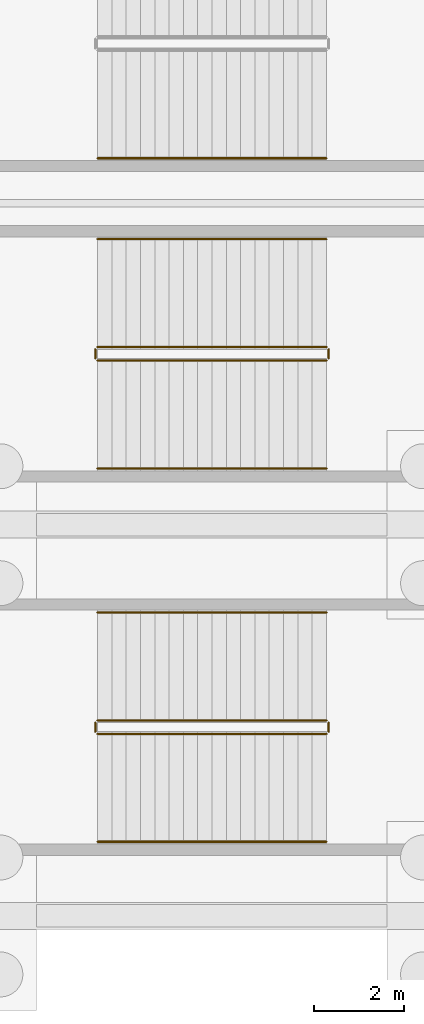
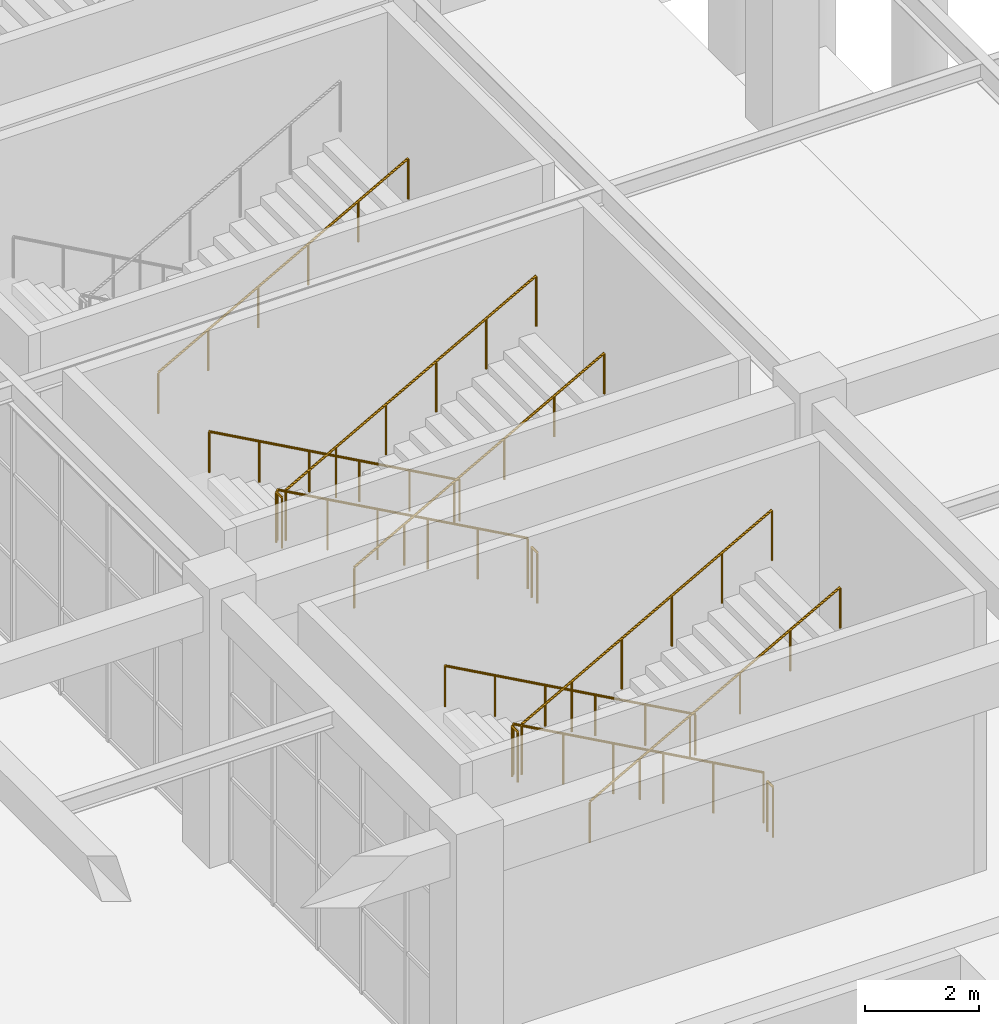
# One storey, part 100 of 121: 13 railings.
"""IFC4 building model written with IfcOpenShell, lengths in metres."""

from ifc_helpers import new_model, si_unit, direction, frame, origin, origin_2d, place, context, subcontext, project, spatial, circle, extrude, material, type_object, element, save


model = new_model("IFC4")

# Units and contexts
model_context = context("Model", 3, precision=1e-05, world=origin(), true_north=direction((0.0, 1.0)))
body_context = subcontext(model_context, "Body", "Model", "MODEL_VIEW")
ifc_project = project(units=[si_unit("LENGTHUNIT", "METRE"), si_unit("AREAUNIT", "SQUARE_METRE"), si_unit("VOLUMEUNIT", "CUBIC_METRE"), si_unit("PLANEANGLEUNIT", "RADIAN"), si_unit("MASSUNIT", "GRAM", prefix="KILO")], contexts=[model_context])

# Site, building, storey
site_placement = place(None, origin())
site = spatial("IfcSite", under=ifc_project, at=site_placement, CompositionType="ELEMENT")
building_placement = place(site_placement, origin())
building = spatial("IfcBuilding", under=site, at=building_placement, Name="Cuetzalor Civic Arena", CompositionType="ELEMENT")
storey_placement = place(building_placement, origin())
storey = spatial("IfcBuildingStorey", under=building, at=storey_placement, Name="L00", CompositionType="ELEMENT", Elevation=0.0)

# Railings
ifc_material_1 = material(Name="Reseda-green architectural Steel S355 balustrade", Category="steel")
railing_type_1 = type_object("IfcRailingType", Name="InteriorVoidBalustrade_1100", PredefinedType="BALUSTRADE", material=ifc_material_1)
railing_1_placement = place(storey_placement, frame((-67.449951171875, -52.64990234375, 0.176513671875)))
element("IfcRailing", 1, at=railing_1_placement, inside=storey, type_object=railing_type_1, Name="L00 ST-13 stair guard 1", PredefinedType="BALUSTRADE", context=body_context, shape_type="SweptSolid", body=[
    extrude(circle(Radius=0.02392578125, at=origin_2d()), frame((0.0, 0.0, 1.0810546875), z_axis=(-0.874394655587, 0.0, 0.485215401941), x_axis=(0.0, -1.0, 0.0)), (0.0, 0.0, 1.0), 5.819091796875),
    extrude(circle(Radius=0.02099609375, at=origin_2d()), origin(), (0.0, 0.0, 1.0), 1.056884765625),
    extrude(circle(Radius=0.02099609375, at=origin_2d()), frame((-1.017578125, 0.0, 0.564697265625)), (0.0, 0.0, 1.0), 1.056884765625),
    extrude(circle(Radius=0.02099609375, at=origin_2d()), frame((-2.03515625, 0.0, 1.12939453125)), (0.0, 0.0, 1.0), 1.056884765625),
    extrude(circle(Radius=0.02099609375, at=origin_2d()), frame((-3.052978515625, 0.0, 1.694091796875)), (0.0, 0.0, 1.0), 1.056884765625),
    extrude(circle(Radius=0.02099609375, at=origin_2d()), frame((-4.070556640625, 0.0, 2.2587890625)), (0.0, 0.0, 1.0), 1.056884765625),
    extrude(circle(Radius=0.02099609375, at=origin_2d()), frame((-5.088134765625, 0.0, 2.823486328125)), (0.0, 0.0, 1.0), 1.056884765625),
])
railing_2_placement = place(storey_placement, frame((-72.587890625, -52.699951171875, 3.0)))
element("IfcRailing", 2, at=railing_2_placement, inside=storey, type_object=railing_type_1, Name="L00 ST-13 stair guard 2", PredefinedType="BALUSTRADE", context=body_context, shape_type="SweptSolid", body=[
    extrude(circle(Radius=0.02392578125, at=origin_2d()), frame((0.0, 0.0, 1.0810546875), z_axis=(0.0, -1.0, 0.0), x_axis=(1.0, 0.0, 0.0)), (0.0, 0.0, 1.0), 0.199951171875),
    extrude(circle(Radius=0.02099609375, at=origin_2d()), origin(), (0.0, 0.0, 1.0), 1.056884765625),
    extrude(circle(Radius=0.02099609375, at=origin_2d()), frame((0.0, -0.199951171875, 0.0)), (0.0, 0.0, 1.0), 1.056884765625),
])
railing_3_placement = place(storey_placement, frame((-72.5380859375, -52.949951171875, 3.176513671875)))
element("IfcRailing", 3, at=railing_3_placement, inside=storey, type_object=railing_type_1, Name="L00 ST-13 stair guard 3", PredefinedType="BALUSTRADE", context=body_context, shape_type="SweptSolid", body=[
    extrude(circle(Radius=0.02392578125, at=origin_2d()), frame((0.0, 0.0, 1.0810546875), z_axis=(0.874394655587, 0.0, 0.485215401941), x_axis=(0.0, 1.0, 0.0)), (0.0, 0.0, 1.0), 5.819091796875),
    extrude(circle(Radius=0.02099609375, at=origin_2d()), origin(), (0.0, 0.0, 1.0), 1.056884765625),
    extrude(circle(Radius=0.02099609375, at=origin_2d()), frame((1.017578125, 0.0, 0.564697265625)), (0.0, 0.0, 1.0), 1.056884765625),
    extrude(circle(Radius=0.02099609375, at=origin_2d()), frame((2.03515625, 0.0, 1.12939453125)), (0.0, 0.0, 1.0), 1.056884765625),
    extrude(circle(Radius=0.02099609375, at=origin_2d()), frame((3.052978515625, 0.0, 1.694091796875)), (0.0, 0.0, 1.0), 1.056884765625),
    extrude(circle(Radius=0.02099609375, at=origin_2d()), frame((4.070556640625, 0.0, 2.2587890625)), (0.0, 0.0, 1.0), 1.056884765625),
    extrude(circle(Radius=0.02099609375, at=origin_2d()), frame((5.088134765625, 0.0, 2.823486328125)), (0.0, 0.0, 1.0), 1.056884765625),
])
railing_4_placement = place(storey_placement, frame((-67.39990234375, -52.699951171875, 0.0)))
element("IfcRailing", 4, at=railing_4_placement, inside=storey, type_object=railing_type_1, Name="L00 ST-13 stair guard 4", PredefinedType="BALUSTRADE", context=body_context, shape_type="SweptSolid", body=[
    extrude(circle(Radius=0.02392578125, at=origin_2d()), frame((0.0, 0.0, 1.0810546875), z_axis=(0.0, -1.0, 0.0), x_axis=(1.0, 0.0, 0.0)), (0.0, 0.0, 1.0), 0.199951171875),
    extrude(circle(Radius=0.02099609375, at=origin_2d()), origin(), (0.0, 0.0, 1.0), 1.056884765625),
    extrude(circle(Radius=0.02099609375, at=origin_2d()), frame((0.0, -0.199951171875, 0.0)), (0.0, 0.0, 1.0), 1.056884765625),
])
railing_5_placement = place(storey_placement, frame((-67.449951171875, -44.35009765625, 0.176513671875)))
element("IfcRailing", 5, at=railing_5_placement, inside=storey, type_object=railing_type_1, Name="L00 ST-14 stair guard 1", PredefinedType="BALUSTRADE", context=body_context, shape_type="SweptSolid", body=[
    extrude(circle(Radius=0.02392578125, at=origin_2d()), frame((0.0, 0.0, 1.0810546875), z_axis=(-0.874394655587, 0.0, 0.485215401941), x_axis=(0.0, -1.0, 0.0)), (0.0, 0.0, 1.0), 5.819091796875),
    extrude(circle(Radius=0.02099609375, at=origin_2d()), origin(), (0.0, 0.0, 1.0), 1.056884765625),
    extrude(circle(Radius=0.02099609375, at=origin_2d()), frame((-1.017578125, 0.0, 0.564697265625)), (0.0, 0.0, 1.0), 1.056884765625),
    extrude(circle(Radius=0.02099609375, at=origin_2d()), frame((-2.03515625, 0.0, 1.12939453125)), (0.0, 0.0, 1.0), 1.056884765625),
    extrude(circle(Radius=0.02099609375, at=origin_2d()), frame((-3.052978515625, 0.0, 1.694091796875)), (0.0, 0.0, 1.0), 1.056884765625),
    extrude(circle(Radius=0.02099609375, at=origin_2d()), frame((-4.070556640625, 0.0, 2.2587890625)), (0.0, 0.0, 1.0), 1.056884765625),
    extrude(circle(Radius=0.02099609375, at=origin_2d()), frame((-5.088134765625, 0.0, 2.823486328125)), (0.0, 0.0, 1.0), 1.056884765625),
])
railing_6_placement = place(storey_placement, frame((-72.587890625, -44.39990234375, 3.0)))
element("IfcRailing", 6, at=railing_6_placement, inside=storey, type_object=railing_type_1, Name="L00 ST-14 stair guard 2", PredefinedType="BALUSTRADE", context=body_context, shape_type="SweptSolid", body=[
    extrude(circle(Radius=0.02392578125, at=origin_2d()), frame((0.0, 0.0, 1.0810546875), z_axis=(0.0, -1.0, 0.0), x_axis=(1.0, 0.0, 0.0)), (0.0, 0.0, 1.0), 0.2001953125),
    extrude(circle(Radius=0.02099609375, at=origin_2d()), origin(), (0.0, 0.0, 1.0), 1.056884765625),
    extrude(circle(Radius=0.02099609375, at=origin_2d()), frame((0.0, -0.2001953125, 0.0)), (0.0, 0.0, 1.0), 1.056884765625),
])
railing_7_placement = place(storey_placement, frame((-72.5380859375, -44.64990234375, 3.176513671875)))
element("IfcRailing", 7, at=railing_7_placement, inside=storey, type_object=railing_type_1, Name="L00 ST-14 stair guard 3", PredefinedType="BALUSTRADE", context=body_context, shape_type="SweptSolid", body=[
    extrude(circle(Radius=0.02392578125, at=origin_2d()), frame((0.0, 0.0, 1.0810546875), z_axis=(0.874394655587, 0.0, 0.485215401941), x_axis=(0.0, 1.0, 0.0)), (0.0, 0.0, 1.0), 5.819091796875),
    extrude(circle(Radius=0.02099609375, at=origin_2d()), origin(), (0.0, 0.0, 1.0), 1.056884765625),
    extrude(circle(Radius=0.02099609375, at=origin_2d()), frame((1.017578125, 0.0, 0.564697265625)), (0.0, 0.0, 1.0), 1.056884765625),
    extrude(circle(Radius=0.02099609375, at=origin_2d()), frame((2.03515625, 0.0, 1.12939453125)), (0.0, 0.0, 1.0), 1.056884765625),
    extrude(circle(Radius=0.02099609375, at=origin_2d()), frame((3.052978515625, 0.0, 1.694091796875)), (0.0, 0.0, 1.0), 1.056884765625),
    extrude(circle(Radius=0.02099609375, at=origin_2d()), frame((4.070556640625, 0.0, 2.2587890625)), (0.0, 0.0, 1.0), 1.056884765625),
    extrude(circle(Radius=0.02099609375, at=origin_2d()), frame((5.088134765625, 0.0, 2.823486328125)), (0.0, 0.0, 1.0), 1.056884765625),
])
railing_8_placement = place(storey_placement, frame((-67.39990234375, -44.39990234375, 0.0)))
element("IfcRailing", 8, at=railing_8_placement, inside=storey, type_object=railing_type_1, Name="L00 ST-14 stair guard 4", PredefinedType="BALUSTRADE", context=body_context, shape_type="SweptSolid", body=[
    extrude(circle(Radius=0.02392578125, at=origin_2d()), frame((0.0, 0.0, 1.0810546875), z_axis=(0.0, -1.0, 0.0), x_axis=(1.0, 0.0, 0.0)), (0.0, 0.0, 1.0), 0.2001953125),
    extrude(circle(Radius=0.02099609375, at=origin_2d()), origin(), (0.0, 0.0, 1.0), 1.056884765625),
    extrude(circle(Radius=0.02099609375, at=origin_2d()), frame((0.0, -0.2001953125, 0.0)), (0.0, 0.0, 1.0), 1.056884765625),
])
ifc_material_2 = material(Name="Galvanised steel S355", Category="steel")
railing_type_2 = type_object("IfcRailingType", Name="StairPitchHandrail_900", PredefinedType="HANDRAIL", material=ifc_material_2)
railing_9_placement = place(storey_placement, frame((-67.449951171875, -50.25, 0.176513671875)))
element("IfcRailing", 9, at=railing_9_placement, inside=storey, type_object=railing_type_2, Name="L00 ST-13 stair handrail 1", PredefinedType="HANDRAIL", context=body_context, shape_type="SweptSolid", body=[
    extrude(circle(Radius=0.02392578125, at=origin_2d()), frame((0.0, 0.0, 0.8759765625), z_axis=(-0.874394655587, 0.0, 0.485215401941), x_axis=(0.0, -1.0, 0.0)), (0.0, 0.0, 1.0), 5.819091796875),
    extrude(circle(Radius=0.02099609375, at=origin_2d()), origin(), (0.0, 0.0, 1.0), 0.851806640625),
    extrude(circle(Radius=0.02099609375, at=origin_2d()), frame((-1.017578125, 0.0, 0.564697265625)), (0.0, 0.0, 1.0), 0.851806640625),
    extrude(circle(Radius=0.02099609375, at=origin_2d()), frame((-2.03515625, 0.0, 1.12939453125)), (0.0, 0.0, 1.0), 0.851806640625),
    extrude(circle(Radius=0.02099609375, at=origin_2d()), frame((-3.052978515625, 0.0, 1.694091796875)), (0.0, 0.0, 1.0), 0.851806640625),
    extrude(circle(Radius=0.02099609375, at=origin_2d()), frame((-4.070556640625, 0.0, 2.2587890625)), (0.0, 0.0, 1.0), 0.851806640625),
    extrude(circle(Radius=0.02099609375, at=origin_2d()), frame((-5.088134765625, 0.0, 2.823486328125)), (0.0, 0.0, 1.0), 0.851806640625),
])
railing_10_placement = place(storey_placement, frame((-72.5380859375, -55.35009765625, 3.176513671875)))
element("IfcRailing", 10, at=railing_10_placement, inside=storey, type_object=railing_type_2, Name="L00 ST-13 stair handrail 2", PredefinedType="HANDRAIL", context=body_context, shape_type="SweptSolid", body=[
    extrude(circle(Radius=0.02392578125, at=origin_2d()), frame((0.0, 0.0, 0.8759765625), z_axis=(0.874394655587, 0.0, 0.485215401941), x_axis=(0.0, 1.0, 0.0)), (0.0, 0.0, 1.0), 5.819091796875),
    extrude(circle(Radius=0.02099609375, at=origin_2d()), origin(), (0.0, 0.0, 1.0), 0.851806640625),
    extrude(circle(Radius=0.02099609375, at=origin_2d()), frame((1.017578125, 0.0, 0.564697265625)), (0.0, 0.0, 1.0), 0.851806640625),
    extrude(circle(Radius=0.02099609375, at=origin_2d()), frame((2.03515625, 0.0, 1.12939453125)), (0.0, 0.0, 1.0), 0.851806640625),
    extrude(circle(Radius=0.02099609375, at=origin_2d()), frame((3.052978515625, 0.0, 1.694091796875)), (0.0, 0.0, 1.0), 0.851806640625),
    extrude(circle(Radius=0.02099609375, at=origin_2d()), frame((4.070556640625, 0.0, 2.2587890625)), (0.0, 0.0, 1.0), 0.851806640625),
    extrude(circle(Radius=0.02099609375, at=origin_2d()), frame((5.088134765625, 0.0, 2.823486328125)), (0.0, 0.0, 1.0), 0.851806640625),
])
railing_11_placement = place(storey_placement, frame((-67.449951171875, -41.949951171875, 0.176513671875)))
element("IfcRailing", 11, at=railing_11_placement, inside=storey, type_object=railing_type_2, Name="L00 ST-14 stair handrail 1", PredefinedType="HANDRAIL", context=body_context, shape_type="SweptSolid", body=[
    extrude(circle(Radius=0.02392578125, at=origin_2d()), frame((0.0, 0.0, 0.8759765625), z_axis=(-0.874394655587, 0.0, 0.485215401941), x_axis=(0.0, -1.0, 0.0)), (0.0, 0.0, 1.0), 5.819091796875),
    extrude(circle(Radius=0.02099609375, at=origin_2d()), origin(), (0.0, 0.0, 1.0), 0.851806640625),
    extrude(circle(Radius=0.02099609375, at=origin_2d()), frame((-1.017578125, 0.0, 0.564697265625)), (0.0, 0.0, 1.0), 0.851806640625),
    extrude(circle(Radius=0.02099609375, at=origin_2d()), frame((-2.03515625, 0.0, 1.12939453125)), (0.0, 0.0, 1.0), 0.851806640625),
    extrude(circle(Radius=0.02099609375, at=origin_2d()), frame((-3.052978515625, 0.0, 1.694091796875)), (0.0, 0.0, 1.0), 0.851806640625),
    extrude(circle(Radius=0.02099609375, at=origin_2d()), frame((-4.070556640625, 0.0, 2.2587890625)), (0.0, 0.0, 1.0), 0.851806640625),
    extrude(circle(Radius=0.02099609375, at=origin_2d()), frame((-5.088134765625, 0.0, 2.823486328125)), (0.0, 0.0, 1.0), 0.851806640625),
])
for number, where, name in (
    (12, (-72.5380859375, -47.050048828125, 3.176513671875), "L00 ST-14 stair handrail 2"),
    (13, (-72.5380859375, -40.14990234375, 3.176513671875), "L00 ST-15 stair handrail 2"),
):
    element("IfcRailing", number, at=place(storey_placement, frame(where)), inside=storey, type_object=railing_type_2, Name=name, PredefinedType="HANDRAIL", context=body_context, shape_type="SweptSolid", body=[
        extrude(circle(Radius=0.02392578125, at=origin_2d()), frame((0.0, 0.0, 0.8759765625), z_axis=(0.874394655587, 0.0, 0.485215401941), x_axis=(0.0, 1.0, 0.0)), (0.0, 0.0, 1.0), 5.819091796875),
        extrude(circle(Radius=0.02099609375, at=origin_2d()), origin(), (0.0, 0.0, 1.0), 0.851806640625),
        extrude(circle(Radius=0.02099609375, at=origin_2d()), frame((1.017578125, 0.0, 0.564697265625)), (0.0, 0.0, 1.0), 0.851806640625),
        extrude(circle(Radius=0.02099609375, at=origin_2d()), frame((2.03515625, 0.0, 1.12939453125)), (0.0, 0.0, 1.0), 0.851806640625),
        extrude(circle(Radius=0.02099609375, at=origin_2d()), frame((3.052978515625, 0.0, 1.694091796875)), (0.0, 0.0, 1.0), 0.851806640625),
        extrude(circle(Radius=0.02099609375, at=origin_2d()), frame((4.070556640625, 0.0, 2.2587890625)), (0.0, 0.0, 1.0), 0.851806640625),
        extrude(circle(Radius=0.02099609375, at=origin_2d()), frame((5.088134765625, 0.0, 2.823486328125)), (0.0, 0.0, 1.0), 0.851806640625),
    ])

save(model, "model.ifc")
